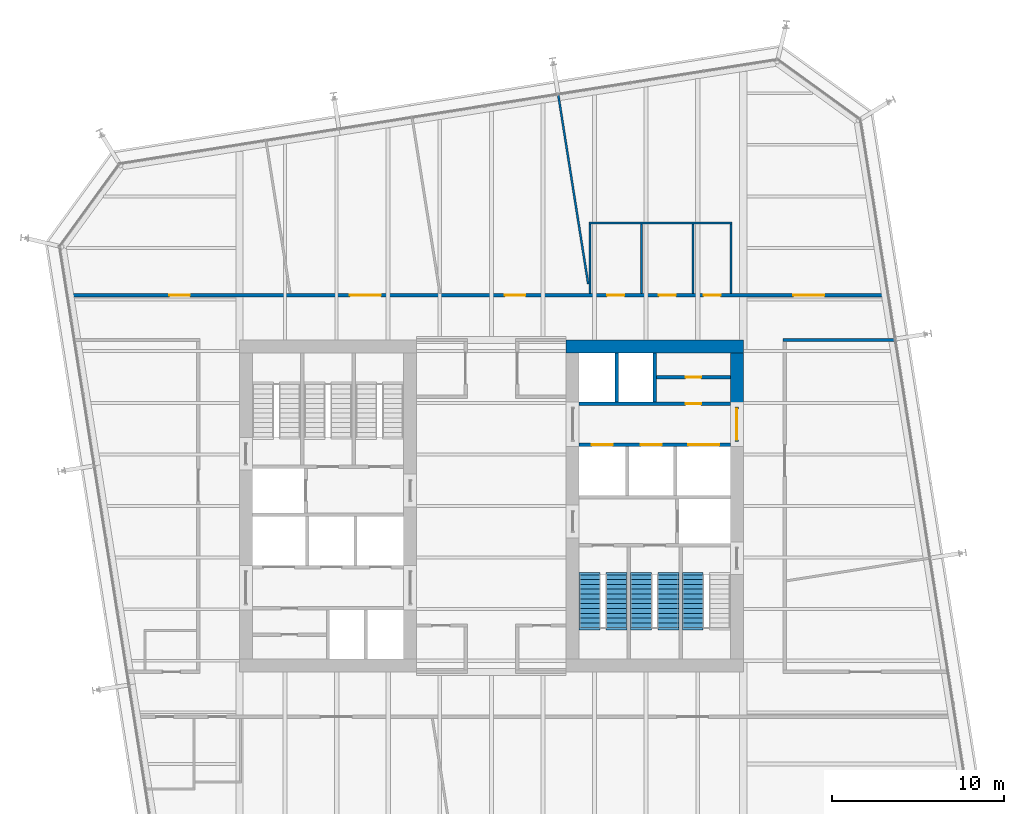
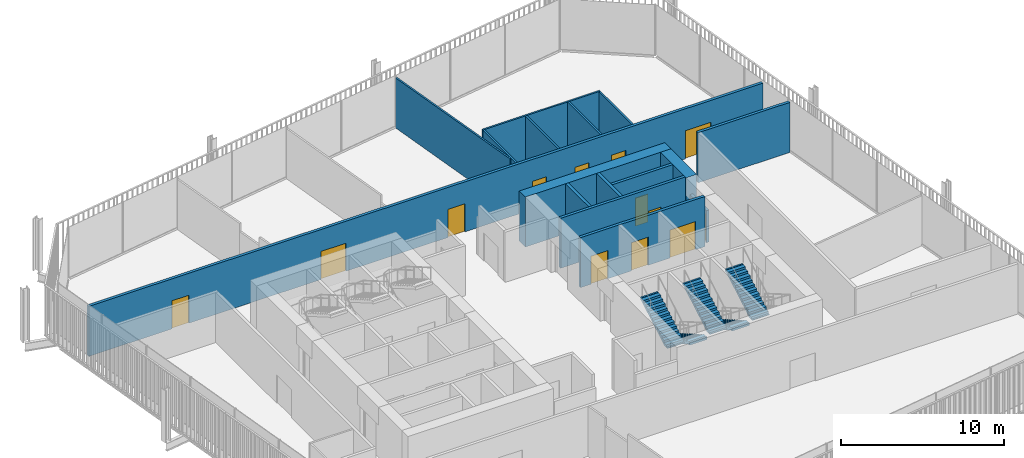
# One storey, part 19 of 21: 16 walls, 13 doors, 5 stair flights, 13 openings, 3 elements without a shape of their own.
"""IFC4 building model written with IfcOpenShell, lengths in metres."""

from ifc_helpers import new_model, si_unit, direction, frame, frame_2d, origin, place, context, subcontext, project, spatial, polyline, rectangle, outline, extrude, material, layer, layer_set, type_object, element, fill, aggregate, save


model = new_model("IFC4")

# Units and contexts
model_context = context("Model", 3, precision=1e-05, world=origin(), true_north=direction((0.0, 1.0)))
body_context = subcontext(model_context, "Body", "Model", "MODEL_VIEW")
ifc_project = project(units=[si_unit("LENGTHUNIT", "METRE"), si_unit("AREAUNIT", "SQUARE_METRE"), si_unit("VOLUMEUNIT", "CUBIC_METRE"), si_unit("PLANEANGLEUNIT", "RADIAN"), si_unit("MASSUNIT", "GRAM", prefix="KILO")], contexts=[model_context])

# Site, building, storey
site_placement = place(None, origin())
site = spatial("IfcSite", under=ifc_project, at=site_placement, CompositionType="ELEMENT")
building_placement = place(site_placement, origin())
building = spatial("IfcBuilding", under=site, at=building_placement, Name="Millrace Tower", CompositionType="ELEMENT")
storey_placement = place(building_placement, frame((0.0, 0.0, 156.800048828125)))
storey = spatial("IfcBuildingStorey", under=building, at=storey_placement, Name="L35", CompositionType="ELEMENT", Elevation=156.800048828125)

# Walls
ifc_material_1 = material(Name="Concrete C70", Category="concrete")
ifc_layer_1 = layer(ifc_material_1, 0.75)
ifc_layer_set_1 = layer_set([ifc_layer_1], Name="Concrete C70")
wall_type_1 = type_object("IfcWallType", Name="Core wall 750 Concrete C70", PredefinedType="SHEAR", material=ifc_layer_set_1)
wall_1_placement = place(storey_placement, frame((14.64990234375, 9.27490234375, 0.0), z_axis=(0.0, 0.0, 1.0), x_axis=(-1.0, 0.0, 0.0)))
element("IfcWall", 1, at=wall_1_placement, inside=storey, type_object=wall_type_1, Name="Core wall E L35", PredefinedType="SHEAR", context=body_context, shape_type="SweptSolid", body=[
    extrude(rectangle(XDim=10.2998046875, YDim=0.75, at=frame_2d((5.14990234375, 0.0))), origin(), (0.0, 0.0, 1.0), 3.739990234375),
])
wall_2_placement = place(storey_placement, frame((14.27490234375, 8.89990234375, 0.0), z_axis=(0.0, 0.0, 1.0), x_axis=(0.0, -1.0, 0.0)))
element("IfcWall", 2, at=wall_2_placement, inside=storey, type_object=wall_type_1, Name="Core wall E L35", PredefinedType="SHEAR", context=body_context, shape_type="SweptSolid", body=[
    extrude(rectangle(XDim=3.14990234375, YDim=0.75, at=frame_2d((1.574951171875, 0.0))), origin(), (0.0, 0.0, 1.0), 3.739990234375),
])
ifc_material_2 = material(Name="Masonry partition, fire-rated", Category="masonry")
ifc_layer_2 = layer(ifc_material_2, 0.199951171875)
ifc_layer_set_2 = layer_set([ifc_layer_2], Name="Masonry partition, fire-rated")
wall_type_2 = type_object("IfcWallType", Name="Corridor wall 200", PredefinedType="PARTITIONING", material=ifc_layer_set_2)
wall_3_placement = place(storey_placement, frame((16.949951171875, 9.64990234375, 0.0), z_axis=(0.0, 0.0, 1.0), x_axis=(1.0, 0.0, 0.0)))
element("IfcWall", 3, at=wall_3_placement, inside=storey, type_object=wall_type_2, Name="Corridor wall L35", PredefinedType="PARTITIONING", context=body_context, shape_type="SweptSolid", body=[
    extrude(rectangle(XDim=6.489501953125, YDim=0.199951171875, at=frame_2d((3.24462890625, 0.0))), origin(), (0.0, 0.0, 1.0), 3.739990234375),
])

# Wall, openings, doors
wall_4_placement = place(storey_placement, frame((-24.618896484375, 12.25, 0.0), z_axis=(0.0, 0.0, 1.0), x_axis=(1.0, 0.0, 0.0)))
wall_4 = element("IfcWall", 4, at=wall_4_placement, inside=storey, type_object=wall_type_2, Name="Corridor wall L35", PredefinedType="PARTITIONING", context=body_context, shape_type="SweptSolid", body=[
    extrude(rectangle(XDim=47.646484375, YDim=0.199951171875, at=frame_2d((23.8232421875, 0.0))), origin(), (0.0, 0.0, 1.0), 3.739990234375),
])
opening_1_placement = place(wall_4_placement, frame((5.89501953125, 0.0, 0.0)))
opening_1 = element("IfcOpeningElement", 5, at=opening_1_placement, cuts=wall_4, Name="Opening 35-P005", PredefinedType="OPENING", context=body_context, shape_type="SweptSolid", body=[
    extrude(rectangle(XDim=1.199951171875, YDim=2.10009765625, at=frame_2d((0.60009765625, 1.050048828125))), frame((0.0, 0.10986328125, 0.0), z_axis=(0.0, -1.0, 0.0), x_axis=(1.0, 0.0, 0.0)), (0.0, 0.0, 1.0), 0.219970703125),
])
opening_2_placement = place(wall_4_placement, frame((16.39306640625, 0.0, 0.0)))
opening_2 = element("IfcOpeningElement", 6, at=opening_2_placement, cuts=wall_4, Name="Opening 35-P006", PredefinedType="OPENING", context=body_context, shape_type="SweptSolid", body=[
    extrude(rectangle(XDim=1.800048828125, YDim=2.10009765625, at=frame_2d((0.89990234375, 1.050048828125))), frame((0.0, 0.10986328125, 0.0), z_axis=(0.0, -1.0, 0.0), x_axis=(1.0, 0.0, 0.0)), (0.0, 0.0, 1.0), 0.219970703125),
])
opening_3_placement = place(wall_4_placement, frame((25.400390625, 0.0, 0.0)))
opening_3 = element("IfcOpeningElement", 7, at=opening_3_placement, cuts=wall_4, Name="Opening 35-P007", PredefinedType="OPENING", context=body_context, shape_type="SweptSolid", body=[
    extrude(rectangle(XDim=1.199951171875, YDim=2.10009765625, at=frame_2d((0.60009765625, 1.050048828125))), frame((0.0, 0.10986328125, 0.0), z_axis=(0.0, -1.0, 0.0), x_axis=(1.0, 0.0, 0.0)), (0.0, 0.0, 1.0), 0.219970703125),
])
opening_4_placement = place(wall_4_placement, frame((42.175048828125, 0.0, 0.0)))
opening_4 = element("IfcOpeningElement", 8, at=opening_4_placement, cuts=wall_4, Name="Opening 35-P008", PredefinedType="OPENING", context=body_context, shape_type="SweptSolid", body=[
    extrude(rectangle(XDim=1.800048828125, YDim=2.10009765625, at=frame_2d((0.89990234375, 1.050048828125))), frame((0.0, 0.10986328125, 0.0), z_axis=(0.0, -1.0, 0.0), x_axis=(1.0, 0.0, 0.0)), (0.0, 0.0, 1.0), 0.219970703125),
])
opening_5_placement = place(wall_4_placement, frame((31.35400390625, 0.0, 0.0)))
opening_5 = element("IfcOpeningElement", 9, at=opening_5_placement, cuts=wall_4, Name="Opening 35-P009", PredefinedType="OPENING", context=body_context, shape_type="SweptSolid", body=[
    extrude(rectangle(XDim=1.0, YDim=2.10009765625, at=frame_2d((0.5, 1.050048828125))), frame((0.0, 0.10986328125, 0.0), z_axis=(0.0, -1.0, 0.0), x_axis=(1.0, 0.0, 0.0)), (0.0, 0.0, 1.0), 0.219970703125),
])
opening_6_placement = place(wall_4_placement, frame((34.35400390625, 0.0, 0.0)))
opening_6 = element("IfcOpeningElement", 10, at=opening_6_placement, cuts=wall_4, Name="Opening 35-P010", PredefinedType="OPENING", context=body_context, shape_type="SweptSolid", body=[
    extrude(rectangle(XDim=1.0, YDim=2.10009765625, at=frame_2d((0.5, 1.050048828125))), frame((0.0, 0.10986328125, 0.0), z_axis=(0.0, -1.0, 0.0), x_axis=(1.0, 0.0, 0.0)), (0.0, 0.0, 1.0), 0.219970703125),
])
opening_7_placement = place(wall_4_placement, frame((36.953857421875, 0.0, 0.0)))
opening_7 = element("IfcOpeningElement", 11, at=opening_7_placement, cuts=wall_4, Name="Opening 35-P011", PredefinedType="OPENING", context=body_context, shape_type="SweptSolid", body=[
    extrude(rectangle(XDim=1.0, YDim=2.10009765625, at=frame_2d((0.5, 1.050048828125))), frame((0.0, 0.10986328125, 0.0), z_axis=(0.0, -1.0, 0.0), x_axis=(1.0, 0.0, 0.0)), (0.0, 0.0, 1.0), 0.219970703125),
])
ifc_material_3 = material(Name="Steel door set, fire-rated", Category="steel")
door_type_1 = type_object("IfcDoorType", Name="Corridor door 1000 x 2100", OperationType="SINGLE_SWING_LEFT", PredefinedType="DOOR", material=ifc_material_3)
door_1_placement = place(opening_5_placement, origin())
door_1 = element("IfcDoor", 12, at=door_1_placement, inside=storey, type_object=door_type_1, Name="Door 35-P009", OperationType="SINGLE_SWING_RIGHT", OverallHeight=2.10009765625, OverallWidth=1.0, PredefinedType="DOOR", context=body_context, shape_type="SweptSolid", body=[
    extrude(rectangle(XDim=1.0, YDim=2.10009765625, at=frame_2d((0.5, 1.050048828125))), frame((0.0, 0.02490234375, 0.0), z_axis=(0.0, -1.0, 0.0), x_axis=(1.0, 0.0, 0.0)), (0.0, 0.0, 1.0), 0.050048828125),
])
fill(opening_5, door_1)
door_2_placement = place(opening_6_placement, origin())
door_2 = element("IfcDoor", 13, at=door_2_placement, inside=storey, type_object=door_type_1, Name="Door 35-P010", OperationType="SINGLE_SWING_RIGHT", OverallHeight=2.10009765625, OverallWidth=1.0, PredefinedType="DOOR", context=body_context, shape_type="SweptSolid", body=[
    extrude(rectangle(XDim=1.0, YDim=2.10009765625, at=frame_2d((0.5, 1.050048828125))), frame((0.0, 0.02490234375, 0.0), z_axis=(0.0, -1.0, 0.0), x_axis=(1.0, 0.0, 0.0)), (0.0, 0.0, 1.0), 0.050048828125),
])
fill(opening_6, door_2)
door_3_placement = place(opening_7_placement, origin())
door_3 = element("IfcDoor", 14, at=door_3_placement, inside=storey, type_object=door_type_1, Name="Door 35-P011", OperationType="SINGLE_SWING_RIGHT", OverallHeight=2.10009765625, OverallWidth=1.0, PredefinedType="DOOR", context=body_context, shape_type="SweptSolid", body=[
    extrude(rectangle(XDim=1.0, YDim=2.10009765625, at=frame_2d((0.5, 1.050048828125))), frame((0.0, 0.02490234375, 0.0), z_axis=(0.0, -1.0, 0.0), x_axis=(1.0, 0.0, 0.0)), (0.0, 0.0, 1.0), 0.050048828125),
])
fill(opening_7, door_3)
ifc_material_4 = material(Name="Steel door set, fire-rated", Category="steel")
door_type_2 = type_object("IfcDoorType", Name="Corridor door 1200 x 2100", OperationType="SINGLE_SWING_LEFT", PredefinedType="DOOR", material=ifc_material_4)
door_4_placement = place(opening_1_placement, origin())
door_4 = element("IfcDoor", 15, at=door_4_placement, inside=storey, type_object=door_type_2, Name="Door 35-P005", OperationType="SINGLE_SWING_LEFT", OverallHeight=2.10009765625, OverallWidth=1.199951171875, PredefinedType="DOOR", context=body_context, shape_type="SweptSolid", body=[
    extrude(rectangle(XDim=1.199951171875, YDim=2.10009765625, at=frame_2d((0.60009765625, 1.050048828125))), frame((0.0, 0.02490234375, 0.0), z_axis=(0.0, -1.0, 0.0), x_axis=(1.0, 0.0, 0.0)), (0.0, 0.0, 1.0), 0.050048828125),
])
fill(opening_1, door_4)
door_5_placement = place(opening_3_placement, origin())
door_5 = element("IfcDoor", 16, at=door_5_placement, inside=storey, type_object=door_type_2, Name="Door 35-P007", OperationType="SINGLE_SWING_RIGHT", OverallHeight=2.10009765625, OverallWidth=1.199951171875, PredefinedType="DOOR", context=body_context, shape_type="SweptSolid", body=[
    extrude(rectangle(XDim=1.199951171875, YDim=2.10009765625, at=frame_2d((0.60009765625, 1.050048828125))), frame((0.0, 0.02490234375, 0.0), z_axis=(0.0, -1.0, 0.0), x_axis=(1.0, 0.0, 0.0)), (0.0, 0.0, 1.0), 0.050048828125),
])
fill(opening_3, door_5)
ifc_material_5 = material(Name="Steel door set, fire-rated", Category="steel")
door_type_3 = type_object("IfcDoorType", Name="Corridor door 1800 x 2100", OperationType="DOUBLE_DOOR_SINGLE_SWING", PredefinedType="DOOR", material=ifc_material_5)
door_6_placement = place(opening_2_placement, origin())
door_6 = element("IfcDoor", 17, at=door_6_placement, inside=storey, type_object=door_type_3, Name="Door 35-P006", OperationType="DOUBLE_DOOR_SINGLE_SWING", OverallHeight=2.10009765625, OverallWidth=1.800048828125, PredefinedType="DOOR", context=body_context, shape_type="SweptSolid", body=[
    extrude(rectangle(XDim=1.800048828125, YDim=2.10009765625, at=frame_2d((0.89990234375, 1.050048828125))), frame((0.0, 0.02490234375, 0.0), z_axis=(0.0, -1.0, 0.0), x_axis=(1.0, 0.0, 0.0)), (0.0, 0.0, 1.0), 0.050048828125),
])
fill(opening_2, door_6)
door_7_placement = place(opening_4_placement, frame((1.800048828125, 0.0, 0.0), z_axis=(0.0, 0.0, 1.0), x_axis=(-1.0, 0.0, 0.0)))
door_7 = element("IfcDoor", 18, at=door_7_placement, inside=storey, type_object=door_type_3, Name="Door 35-P008", OperationType="DOUBLE_DOOR_SINGLE_SWING", OverallHeight=2.10009765625, OverallWidth=1.800048828125, PredefinedType="DOOR", context=body_context, shape_type="SweptSolid", body=[
    extrude(rectangle(XDim=1.800048828125, YDim=2.10009765625, at=frame_2d((0.89990234375, 1.050048828125))), frame((0.0, 0.02490234375, 0.0), z_axis=(0.0, -1.0, 0.0), x_axis=(1.0, 0.0, 0.0)), (0.0, 0.0, 1.0), 0.050048828125),
])
fill(opening_4, door_7)

# Wall, opening, door
ifc_material_6 = material(Name="Masonry partition, fire-rated", Category="masonry")
ifc_layer_3 = layer(ifc_material_6, 0.199951171875)
ifc_layer_set_3 = layer_set([ifc_layer_3], Name="Masonry partition, fire-rated")
wall_type_3 = type_object("IfcWallType", Name="Lift shaft wall 200", PredefinedType="PARTITIONING", material=ifc_layer_set_3)
wall_5_placement = place(storey_placement, frame((13.89990234375, 5.949951171875, 0.0), z_axis=(0.0, 0.0, 1.0), x_axis=(-1.0, 0.0, 0.0)))
wall_5 = element("IfcWall", 19, at=wall_5_placement, inside=storey, type_object=wall_type_3, Name="Lift shaft wall E L35", PredefinedType="PARTITIONING", context=body_context, shape_type="SweptSolid", body=[
    extrude(rectangle(XDim=8.7998046875, YDim=0.199951171875, at=frame_2d((4.39990234375, 0.0))), origin(), (0.0, 0.0, 1.0), 3.739990234375),
])
opening_8_placement = place(wall_5_placement, frame((1.699951171875, 0.0, 0.0)))
opening_8 = element("IfcOpeningElement", 20, at=opening_8_placement, cuts=wall_5, Name="Opening 35-C013", PredefinedType="OPENING", context=body_context, shape_type="SweptSolid", body=[
    extrude(rectangle(XDim=0.89990234375, YDim=2.10009765625, at=frame_2d((0.449951171875, 1.050048828125))), frame((0.0, 0.10986328125, 0.0), z_axis=(0.0, -1.0, 0.0), x_axis=(1.0, 0.0, 0.0)), (0.0, 0.0, 1.0), 0.219970703125),
])
ifc_material_7 = material(Name="Steel door, fire-rated", Category="steel")
door_type_4 = type_object("IfcDoorType", Name="Service room door 900 x 2100", OperationType="SINGLE_SWING_LEFT", PredefinedType="DOOR", material=ifc_material_7)
door_8_placement = place(opening_8_placement, origin())
door_8 = element("IfcDoor", 21, at=door_8_placement, inside=storey, type_object=door_type_4, Name="Service room door 35-C013", OperationType="SINGLE_SWING_LEFT", OverallHeight=2.10009765625, OverallWidth=0.89990234375, PredefinedType="DOOR", context=body_context, shape_type="SweptSolid", body=[
    extrude(rectangle(XDim=0.89990234375, YDim=2.10009765625, at=frame_2d((0.449951171875, 1.050048828125))), frame((0.0, 0.02490234375, 0.0), z_axis=(0.0, -1.0, 0.0), x_axis=(1.0, 0.0, 0.0)), (0.0, 0.0, 1.0), 0.050048828125),
])
fill(opening_8, door_8)

# Wall, openings, doors
wall_6_placement = place(storey_placement, frame((13.89990234375, 3.550048828125, 0.0), z_axis=(0.0, 0.0, 1.0), x_axis=(-1.0, 0.0, 0.0)))
wall_6 = element("IfcWall", 22, at=wall_6_placement, inside=storey, type_object=wall_type_3, Name="Lift shaft wall E L35", PredefinedType="PARTITIONING", context=body_context, shape_type="SweptSolid", body=[
    extrude(rectangle(XDim=8.7998046875, YDim=0.199951171875, at=frame_2d((4.39990234375, 0.0))), origin(), (0.0, 0.0, 1.0), 3.739990234375),
])
opening_9_placement = place(wall_6_placement, frame((0.64990234375, 0.0, 0.0)))
opening_9 = element("IfcOpeningElement", 23, at=opening_9_placement, cuts=wall_6, Name="Opening 35-LD13", PredefinedType="OPENING", context=body_context, shape_type="SweptSolid", body=[
    extrude(rectangle(XDim=1.800048828125, YDim=2.10009765625, at=frame_2d((0.89990234375, 1.050048828125))), frame((0.0, 0.10986328125, 0.0), z_axis=(0.0, -1.0, 0.0), x_axis=(1.0, 0.0, 0.0)), (0.0, 0.0, 1.0), 0.219970703125),
])
opening_10_placement = place(wall_6_placement, frame((4.0, 0.0, 0.0)))
opening_10 = element("IfcOpeningElement", 24, at=opening_10_placement, cuts=wall_6, Name="Opening 35-LD14", PredefinedType="OPENING", context=body_context, shape_type="SweptSolid", body=[
    extrude(rectangle(XDim=1.199951171875, YDim=2.10009765625, at=frame_2d((0.60009765625, 1.050048828125))), frame((0.0, 0.10986328125, 0.0), z_axis=(0.0, -1.0, 0.0), x_axis=(1.0, 0.0, 0.0)), (0.0, 0.0, 1.0), 0.219970703125),
])
opening_11_placement = place(wall_6_placement, frame((6.85009765625, 0.0, 0.0)))
opening_11 = element("IfcOpeningElement", 25, at=opening_11_placement, cuts=wall_6, Name="Opening 35-LD15", PredefinedType="OPENING", context=body_context, shape_type="SweptSolid", body=[
    extrude(rectangle(XDim=1.199951171875, YDim=2.10009765625, at=frame_2d((0.60009765625, 1.050048828125))), frame((0.0, 0.10986328125, 0.0), z_axis=(0.0, -1.0, 0.0), x_axis=(1.0, 0.0, 0.0)), (0.0, 0.0, 1.0), 0.219970703125),
])
ifc_material_8 = material(Name="Stainless steel, fire-rated", Category="steel")
door_type_5 = type_object("IfcDoorType", Name="Lift landing door 1200 x 2100", OperationType="DOUBLE_DOOR_SLIDING", PredefinedType="DOOR", material=ifc_material_8)
door_9_placement = place(opening_10_placement, origin())
door_9 = element("IfcDoor", 26, at=door_9_placement, inside=storey, type_object=door_type_5, Name="Lift landing door LF14 L35", OperationType="DOUBLE_DOOR_SLIDING", OverallHeight=2.10009765625, OverallWidth=1.199951171875, PredefinedType="DOOR", context=body_context, shape_type="SweptSolid", body=[
    extrude(rectangle(XDim=1.199951171875, YDim=2.10009765625, at=frame_2d((0.60009765625, 1.050048828125))), frame((0.0, 0.02490234375, 0.0), z_axis=(0.0, -1.0, 0.0), x_axis=(1.0, 0.0, 0.0)), (0.0, 0.0, 1.0), 0.050048828125),
])
fill(opening_10, door_9)
door_10_placement = place(opening_11_placement, origin())
door_10 = element("IfcDoor", 27, at=door_10_placement, inside=storey, type_object=door_type_5, Name="Lift landing door LF15 L35", OperationType="DOUBLE_DOOR_SLIDING", OverallHeight=2.10009765625, OverallWidth=1.199951171875, PredefinedType="DOOR", context=body_context, shape_type="SweptSolid", body=[
    extrude(rectangle(XDim=1.199951171875, YDim=2.10009765625, at=frame_2d((0.60009765625, 1.050048828125))), frame((0.0, 0.02490234375, 0.0), z_axis=(0.0, -1.0, 0.0), x_axis=(1.0, 0.0, 0.0)), (0.0, 0.0, 1.0), 0.050048828125),
])
fill(opening_11, door_10)
ifc_material_9 = material(Name="Stainless steel, fire-rated", Category="steel")
door_type_6 = type_object("IfcDoorType", Name="Lift landing door 1800 x 2100", OperationType="DOUBLE_DOOR_SLIDING", PredefinedType="DOOR", material=ifc_material_9)
door_11_placement = place(opening_9_placement, origin())
door_11 = element("IfcDoor", 28, at=door_11_placement, inside=storey, type_object=door_type_6, Name="Lift landing door LF13 L35", OperationType="DOUBLE_DOOR_SLIDING", OverallHeight=2.10009765625, OverallWidth=1.800048828125, PredefinedType="DOOR", context=body_context, shape_type="SweptSolid", body=[
    extrude(rectangle(XDim=1.800048828125, YDim=2.10009765625, at=frame_2d((0.89990234375, 1.050048828125))), frame((0.0, 0.02490234375, 0.0), z_axis=(0.0, -1.0, 0.0), x_axis=(1.0, 0.0, 0.0)), (0.0, 0.0, 1.0), 0.050048828125),
])
fill(opening_9, door_11)

# Walls
for number, where, z_axis, x_axis, name in (
    (29, (9.5, 8.89990234375, 0.0), (0.0, 0.0, 1.0), (0.0, -1.0, 0.0), "Lift shaft wall E L35"),
    (30, (7.300048828125, 8.89990234375, 0.0), (0.0, 0.0, 1.0), (0.0, -1.0, 0.0), "Lift shaft wall E L35"),
):
    element("IfcWall", number, at=place(storey_placement, frame(where, z_axis=z_axis, x_axis=x_axis)), inside=storey, type_object=wall_type_3, Name=name, PredefinedType="PARTITIONING", context=body_context, shape_type="SweptSolid", body=[
        extrude(rectangle(XDim=2.849853515625, YDim=0.199951171875, at=frame_2d((1.4248046875, 0.0))), origin(), (0.0, 0.0, 1.0), 3.739990234375),
    ])

# Wall, opening, door
ifc_material_10 = material(Name="Masonry partition, fire-rated", Category="masonry")
ifc_layer_4 = layer(ifc_material_10, 0.199951171875)
ifc_layer_set_4 = layer_set([ifc_layer_4], Name="Masonry partition, fire-rated")
wall_type_4 = type_object("IfcWallType", Name="Lobby wall 200", PredefinedType="PARTITIONING", material=ifc_layer_set_4)
wall_7_placement = place(storey_placement, frame((14.27490234375, 5.75, 0.0), z_axis=(0.0, 0.0, 1.0), x_axis=(0.0, -1.0, 0.0)))
wall_7 = element("IfcWall", 31, at=wall_7_placement, inside=storey, type_object=wall_type_4, Name="Lobby wall E L35", PredefinedType="PARTITIONING", context=body_context, shape_type="SweptSolid", body=[
    extrude(rectangle(XDim=2.0, YDim=0.199951171875, at=frame_2d((1.0, 0.0))), origin(), (0.0, 0.0, 1.0), 2.39990234375),
])
opening_12_placement = place(wall_7_placement, frame((0.10009765625, 0.0, 0.0)))
opening_12 = element("IfcOpeningElement", 32, at=opening_12_placement, cuts=wall_7, Name="Opening 35-C009", PredefinedType="OPENING", context=body_context, shape_type="SweptSolid", body=[
    extrude(rectangle(XDim=1.800048828125, YDim=2.10009765625, at=frame_2d((0.89990234375, 1.050048828125))), frame((0.0, 0.10986328125, 0.0), z_axis=(0.0, -1.0, 0.0), x_axis=(1.0, 0.0, 0.0)), (0.0, 0.0, 1.0), 0.219970703125),
])
ifc_material_11 = material(Name="Steel door, fire-rated", Category="steel")
door_type_7 = type_object("IfcDoorType", Name="Lobby door 1800 x 2100", OperationType="DOUBLE_DOOR_SINGLE_SWING", PredefinedType="DOOR", material=ifc_material_11)
door_12_placement = place(opening_12_placement, origin())
door_12 = element("IfcDoor", 33, at=door_12_placement, inside=storey, type_object=door_type_7, Name="Lobby door 35-C009", OperationType="DOUBLE_DOOR_SINGLE_SWING", OverallHeight=2.10009765625, OverallWidth=1.800048828125, PredefinedType="DOOR", context=body_context, shape_type="SweptSolid", body=[
    extrude(rectangle(XDim=1.800048828125, YDim=2.10009765625, at=frame_2d((0.89990234375, 1.050048828125))), frame((0.0, 0.02490234375, 0.0), z_axis=(0.0, -1.0, 0.0), x_axis=(1.0, 0.0, 0.0)), (0.0, 0.0, 1.0), 0.050048828125),
])
fill(opening_12, door_12)

# Walls
ifc_material_12 = material(Name="Gypsum board partition")
ifc_layer_5 = layer(ifc_material_12, 0.1201171875)
ifc_layer_set_5 = layer_set([ifc_layer_5], Name="Gypsum board partition")
wall_type_5 = type_object("IfcWallType", Name="Partition wall 120", PredefinedType="PARTITIONING", material=ifc_layer_set_5)
wall_8_placement = place(storey_placement, frame((3.89013671875, 23.8994140625, 0.0), z_axis=(0.0, 0.0, 1.0), x_axis=(0.15642784912, -0.987689388431, 0.0)))
element("IfcWall", 34, at=wall_8_placement, inside=storey, type_object=wall_type_5, Name="Partition wall L35", PredefinedType="PARTITIONING", context=body_context, shape_type="SweptSolid", body=[
    extrude(rectangle(XDim=11.1279296875, YDim=0.1201171875, at=frame_2d((5.56396484375, 0.0))), origin(), (0.0, 0.0, 1.0), 3.739990234375),
])
wall_9_placement = place(storey_placement, frame((5.675048828125, 16.449951171875, 0.0), z_axis=(0.0, 0.0, 1.0), x_axis=(1.0, 0.0, 0.0)))
element("IfcWall", 35, at=wall_9_placement, inside=storey, type_object=wall_type_5, Name="Partition wall L35", PredefinedType="PARTITIONING", context=body_context, shape_type="SweptSolid", body=[
    extrude(rectangle(XDim=8.320068359375, YDim=0.1201171875, at=frame_2d((4.16015625, 0.0))), origin(), (0.0, 0.0, 1.0), 3.739990234375),
])
for number, where, z_axis, x_axis, name in (
    (36, (13.93505859375, 12.35009765625, 0.0), (0.0, 0.0, 1.0), (0.0, 1.0, 0.0), "Partition wall L35"),
    (37, (11.735107421875, 12.35009765625, 0.0), (0.0, 0.0, 1.0), (0.0, 1.0, 0.0), "Partition wall L35"),
    (38, (8.735107421875, 12.35009765625, 0.0), (0.0, 0.0, 1.0), (0.0, 1.0, 0.0), "Partition wall L35"),
    (39, (5.735107421875, 12.35009765625, 0.0), (0.0, 0.0, 1.0), (0.0, 1.0, 0.0), "Partition wall L35"),
):
    element("IfcWall", number, at=place(storey_placement, frame(where, z_axis=z_axis, x_axis=x_axis)), inside=storey, type_object=wall_type_5, Name=name, PredefinedType="PARTITIONING", context=body_context, shape_type="SweptSolid", body=[
        extrude(rectangle(XDim=4.039794921875, YDim=0.1201171875, at=frame_2d((2.02001953125, 0.0))), origin(), (0.0, 0.0, 1.0), 3.739990234375),
    ])

# Wall, opening, door
ifc_material_13 = material(Name="Masonry partition, fire-rated", Category="masonry")
ifc_layer_6 = layer(ifc_material_13, 0.199951171875)
ifc_layer_set_6 = layer_set([ifc_layer_6], Name="Masonry partition, fire-rated")
wall_type_6 = type_object("IfcWallType", Name="Room partition 200", PredefinedType="PARTITIONING", material=ifc_layer_set_6)
wall_10_placement = place(storey_placement, frame((13.89990234375, 7.47509765625, 0.0), z_axis=(0.0, 0.0, 1.0), x_axis=(-1.0, 0.0, 0.0)))
wall_10 = element("IfcWall", 40, at=wall_10_placement, inside=storey, type_object=wall_type_6, Name="Room partition E L35", PredefinedType="PARTITIONING", context=body_context, shape_type="SweptSolid", body=[
    extrude(rectangle(XDim=4.2998046875, YDim=0.199951171875, at=frame_2d((2.14990234375, 0.0))), origin(), (0.0, 0.0, 1.0), 3.739990234375),
])
opening_13_placement = place(wall_10_placement, frame((1.699951171875, 0.0, 0.0)))
opening_13 = element("IfcOpeningElement", 41, at=opening_13_placement, cuts=wall_10, Name="Opening 35-C014", PredefinedType="OPENING", context=body_context, shape_type="SweptSolid", body=[
    extrude(rectangle(XDim=0.89990234375, YDim=2.10009765625, at=frame_2d((0.449951171875, 1.050048828125))), frame((0.0, 0.10986328125, 0.0), z_axis=(0.0, -1.0, 0.0), x_axis=(1.0, 0.0, 0.0)), (0.0, 0.0, 1.0), 0.219970703125),
])
door_13_placement = place(opening_13_placement, frame((0.89990234375, 0.0, 0.0), z_axis=(0.0, 0.0, 1.0), x_axis=(-1.0, 0.0, 0.0)))
door_13 = element("IfcDoor", 42, at=door_13_placement, inside=storey, type_object=door_type_4, Name="Service room door 35-C014", OperationType="SINGLE_SWING_LEFT", OverallHeight=2.10009765625, OverallWidth=0.89990234375, PredefinedType="DOOR", context=body_context, shape_type="SweptSolid", body=[
    extrude(rectangle(XDim=0.89990234375, YDim=2.10009765625, at=frame_2d((0.449951171875, 1.050048828125))), frame((0.0, 0.02490234375, 0.0), z_axis=(0.0, -1.0, 0.0), x_axis=(1.0, 0.0, 0.0)), (0.0, 0.0, 1.0), 0.050048828125),
])
fill(opening_13, door_13)

# Stair, stair flight
ifc_material_14 = material(Name="Concrete C35", Category="concrete")
stair_type = type_object("IfcStairType", Name="Exit stair", PredefinedType="HALF_TURN_STAIR", material=ifc_material_14)
placement = place(storey_placement, origin())
stair_1 = element("IfcStair", 43, at=placement, inside=storey, type_object=stair_type, Name="Stair 1 E L35", PredefinedType="HALF_TURN_STAIR")
ifc_material_15 = material(Name="Concrete C35", Category="concrete")
stair_flight_type = type_object("IfcStairFlightType", Name="Exit stair flight", PredefinedType="STRAIGHT", material=ifc_material_15)
stair_flight_1_placement = place(storey_placement, frame((11.7099609375, -7.080078125, 1.949951171875), z_axis=(0.0, 0.0, 1.0), x_axis=(0.0, 1.0, 0.0)))
stair_flight_1 = element("IfcStairFlight", 44, at=stair_flight_1_placement, type_object=stair_flight_type, Name="ST12 flight 2", NumberOfRisers=12, NumberOfTreads=11, PredefinedType="STRAIGHT", RiserHeight=0.1625, TreadLength=0.28, context=body_context, shape_type="SweptSolid", body=[
    extrude(outline(polyline([(-0.1201171875, -0.0400390625), (-0.1201171875, 0.0), (0.0, 0.0), (0.0, 0.16259765625), (0.280029296875, 0.16259765625), (0.280029296875, 0.324951171875), (0.56005859375, 0.324951171875), (0.56005859375, 0.487548828125), (0.840087890625, 0.487548828125), (0.840087890625, 0.64990234375), (1.1201171875, 0.64990234375), (1.1201171875, 0.8125), (1.39990234375, 0.8125), (1.39990234375, 0.97509765625), (1.679931640625, 0.97509765625), (1.679931640625, 1.137451171875), (1.9599609375, 1.137451171875), (1.9599609375, 1.300048828125), (2.239990234375, 1.300048828125), (2.239990234375, 1.46240234375), (2.52001953125, 1.46240234375), (2.52001953125, 1.625), (2.800048828125, 1.625), (2.800048828125, 1.78759765625), (3.080078125, 1.78759765625), (3.080078125, 1.8076171875), (3.199951171875, 1.8076171875), (3.199951171875, 1.6142578125), (3.080078125, 1.6142578125), (0.298583984375, 0.0), (0.298583984375, -0.0400390625), (-0.1201171875, -0.0400390625)])), frame((0.0, 0.60986328125, 0.0), z_axis=(0.0, -1.0, 0.0), x_axis=(1.0, 0.0, 0.0)), (0.0, 0.0, 1.0), 1.219970703125),
])
aggregate(stair_1, [stair_flight_1])

# Stair, stair flights
stair_2 = element("IfcStair", 45, at=placement, inside=storey, type_object=stair_type, Name="Stair 2 E L35", PredefinedType="HALF_TURN_STAIR")
stair_flight_2_placement = place(storey_placement, frame((10.2900390625, -4.0, 0.0), z_axis=(0.0, 0.0, 1.0), x_axis=(0.0, -1.0, 0.0)))
stair_flight_2 = element("IfcStairFlight", 46, at=stair_flight_2_placement, type_object=stair_flight_type, Name="ST12 flight 1", NumberOfRisers=12, NumberOfTreads=11, PredefinedType="STRAIGHT", RiserHeight=0.1625, TreadLength=0.28, context=body_context, shape_type="SweptSolid", body=[
    extrude(outline(polyline([(-0.1201171875, -0.0400390625), (-0.1201171875, 0.0), (0.0, 0.0), (0.0, 0.16259765625), (0.280029296875, 0.16259765625), (0.280029296875, 0.324951171875), (0.56005859375, 0.324951171875), (0.56005859375, 0.487548828125), (0.840087890625, 0.487548828125), (0.840087890625, 0.64990234375), (1.1201171875, 0.64990234375), (1.1201171875, 0.8125), (1.39990234375, 0.8125), (1.39990234375, 0.97509765625), (1.679931640625, 0.97509765625), (1.679931640625, 1.137451171875), (1.9599609375, 1.137451171875), (1.9599609375, 1.300048828125), (2.239990234375, 1.300048828125), (2.239990234375, 1.46240234375), (2.52001953125, 1.46240234375), (2.52001953125, 1.625), (2.800048828125, 1.625), (2.800048828125, 1.78759765625), (3.080078125, 1.78759765625), (3.080078125, 1.8076171875), (3.199951171875, 1.8076171875), (3.199951171875, 1.6142578125), (3.080078125, 1.6142578125), (0.298583984375, 0.0), (0.298583984375, -0.0400390625), (-0.1201171875, -0.0400390625)])), frame((0.0, 0.60986328125, 0.0), z_axis=(0.0, -1.0, 0.0), x_axis=(1.0, 0.0, 0.0)), (0.0, 0.0, 1.0), 1.219970703125),
])
stair_flight_3_placement = place(storey_placement, frame((8.7099609375, -7.080078125, 1.949951171875), z_axis=(0.0, 0.0, 1.0), x_axis=(0.0, 1.0, 0.0)))
stair_flight_3 = element("IfcStairFlight", 47, at=stair_flight_3_placement, type_object=stair_flight_type, Name="ST12 flight 2", NumberOfRisers=12, NumberOfTreads=11, PredefinedType="STRAIGHT", RiserHeight=0.1625, TreadLength=0.28, context=body_context, shape_type="SweptSolid", body=[
    extrude(outline(polyline([(-0.1201171875, -0.0400390625), (-0.1201171875, 0.0), (0.0, 0.0), (0.0, 0.16259765625), (0.280029296875, 0.16259765625), (0.280029296875, 0.324951171875), (0.56005859375, 0.324951171875), (0.56005859375, 0.487548828125), (0.840087890625, 0.487548828125), (0.840087890625, 0.64990234375), (1.1201171875, 0.64990234375), (1.1201171875, 0.8125), (1.39990234375, 0.8125), (1.39990234375, 0.97509765625), (1.679931640625, 0.97509765625), (1.679931640625, 1.137451171875), (1.9599609375, 1.137451171875), (1.9599609375, 1.300048828125), (2.239990234375, 1.300048828125), (2.239990234375, 1.46240234375), (2.52001953125, 1.46240234375), (2.52001953125, 1.625), (2.800048828125, 1.625), (2.800048828125, 1.78759765625), (3.080078125, 1.78759765625), (3.080078125, 1.8076171875), (3.199951171875, 1.8076171875), (3.199951171875, 1.6142578125), (3.080078125, 1.6142578125), (0.298583984375, 0.0), (0.298583984375, -0.0400390625), (-0.1201171875, -0.0400390625)])), frame((0.0, 0.60986328125, 0.0), z_axis=(0.0, -1.0, 0.0), x_axis=(1.0, 0.0, 0.0)), (0.0, 0.0, 1.0), 1.219970703125),
])
aggregate(stair_2, [stair_flight_2, stair_flight_3])

stair_3 = element("IfcStair", 48, at=placement, inside=storey, type_object=stair_type, Name="Stair 3 E L35", PredefinedType="HALF_TURN_STAIR")
stair_flight_4_placement = place(storey_placement, frame((7.2900390625, -4.0, 0.0), z_axis=(0.0, 0.0, 1.0), x_axis=(0.0, -1.0, 0.0)))
stair_flight_4 = element("IfcStairFlight", 49, at=stair_flight_4_placement, type_object=stair_flight_type, Name="ST12 flight 1", NumberOfRisers=12, NumberOfTreads=11, PredefinedType="STRAIGHT", RiserHeight=0.1625, TreadLength=0.28, context=body_context, shape_type="SweptSolid", body=[
    extrude(outline(polyline([(-0.1201171875, -0.0400390625), (-0.1201171875, 0.0), (0.0, 0.0), (0.0, 0.16259765625), (0.280029296875, 0.16259765625), (0.280029296875, 0.324951171875), (0.56005859375, 0.324951171875), (0.56005859375, 0.487548828125), (0.840087890625, 0.487548828125), (0.840087890625, 0.64990234375), (1.1201171875, 0.64990234375), (1.1201171875, 0.8125), (1.39990234375, 0.8125), (1.39990234375, 0.97509765625), (1.679931640625, 0.97509765625), (1.679931640625, 1.137451171875), (1.9599609375, 1.137451171875), (1.9599609375, 1.300048828125), (2.239990234375, 1.300048828125), (2.239990234375, 1.46240234375), (2.52001953125, 1.46240234375), (2.52001953125, 1.625), (2.800048828125, 1.625), (2.800048828125, 1.78759765625), (3.080078125, 1.78759765625), (3.080078125, 1.8076171875), (3.199951171875, 1.8076171875), (3.199951171875, 1.6142578125), (3.080078125, 1.6142578125), (0.298583984375, 0.0), (0.298583984375, -0.0400390625), (-0.1201171875, -0.0400390625)])), frame((0.0, 0.60986328125, 0.0), z_axis=(0.0, -1.0, 0.0), x_axis=(1.0, 0.0, 0.0)), (0.0, 0.0, 1.0), 1.219970703125),
])
stair_flight_5_placement = place(storey_placement, frame((5.7099609375, -7.080078125, 1.949951171875), z_axis=(0.0, 0.0, 1.0), x_axis=(0.0, 1.0, 0.0)))
stair_flight_5 = element("IfcStairFlight", 50, at=stair_flight_5_placement, type_object=stair_flight_type, Name="ST12 flight 2", NumberOfRisers=12, NumberOfTreads=11, PredefinedType="STRAIGHT", RiserHeight=0.1625, TreadLength=0.28, context=body_context, shape_type="SweptSolid", body=[
    extrude(outline(polyline([(-0.1201171875, -0.0400390625), (-0.1201171875, 0.0), (0.0, 0.0), (0.0, 0.16259765625), (0.280029296875, 0.16259765625), (0.280029296875, 0.324951171875), (0.56005859375, 0.324951171875), (0.56005859375, 0.487548828125), (0.840087890625, 0.487548828125), (0.840087890625, 0.64990234375), (1.1201171875, 0.64990234375), (1.1201171875, 0.8125), (1.39990234375, 0.8125), (1.39990234375, 0.97509765625), (1.679931640625, 0.97509765625), (1.679931640625, 1.137451171875), (1.9599609375, 1.137451171875), (1.9599609375, 1.300048828125), (2.239990234375, 1.300048828125), (2.239990234375, 1.46240234375), (2.52001953125, 1.46240234375), (2.52001953125, 1.625), (2.800048828125, 1.625), (2.800048828125, 1.78759765625), (3.080078125, 1.78759765625), (3.080078125, 1.8076171875), (3.199951171875, 1.8076171875), (3.199951171875, 1.6142578125), (3.080078125, 1.6142578125), (0.298583984375, 0.0), (0.298583984375, -0.0400390625), (-0.1201171875, -0.0400390625)])), frame((0.0, 0.60986328125, 0.0), z_axis=(0.0, -1.0, 0.0), x_axis=(1.0, 0.0, 0.0)), (0.0, 0.0, 1.0), 1.219970703125),
])
aggregate(stair_3, [stair_flight_4, stair_flight_5])

save(model, "model.ifc")
